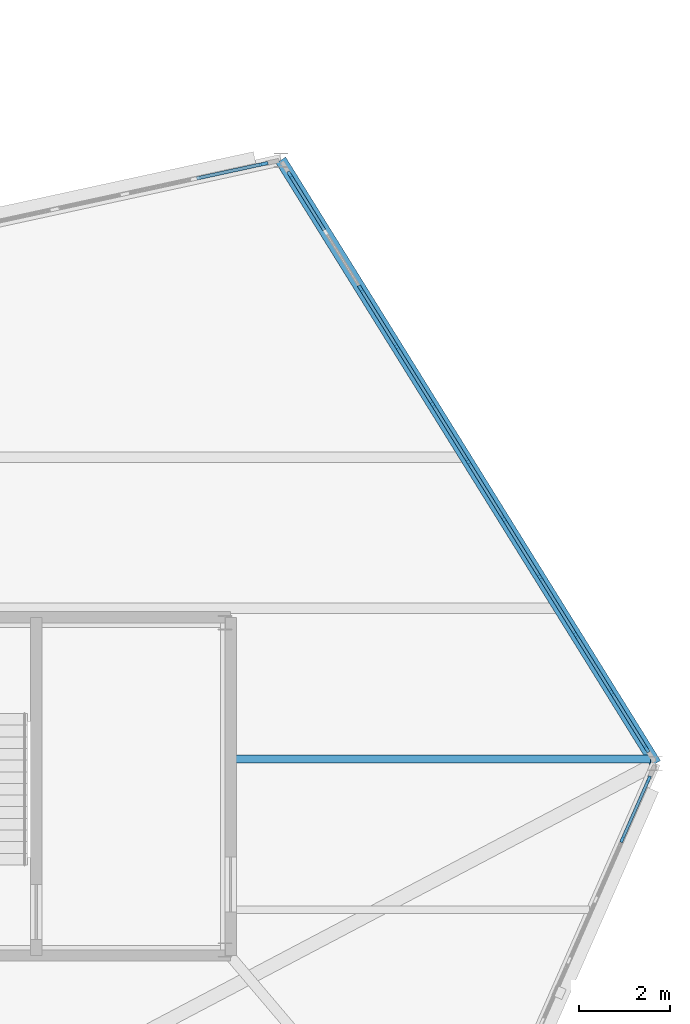
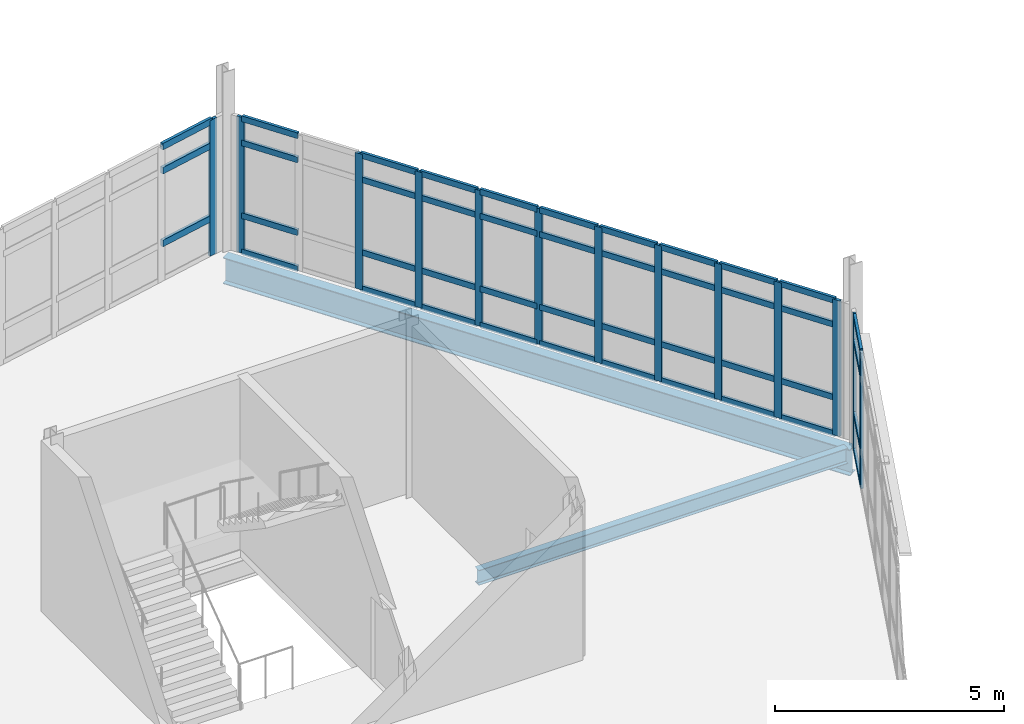
# One storey, part 74 of 134: 56 members, 2 beams, 3 elements without a shape of their own.
"""IFC4 building model written with IfcOpenShell, lengths in metres."""

import ifcopenshell
import ifcopenshell.guid

model = None  # the IFC model being written
_history = None  # IfcOwnerHistory: only IFC2X3 demands one
_inside = {}  # id of a spatial element -> (the spatial element, [elements in it])
_under = {}  # id of a project, library or spatial element -> (it, [spatial elements below it])
_declared = {}  # id of a project -> (the project, [libraries it declares])
_typed = {}  # id of a type object -> (the type object, [elements of that type])
_made_of = {}  # id of a material, layer set ... -> (it, [elements and type objects made of it])


def new_model(schema):
    """Start an empty IFC model of exactly this schema.

    Asked for "IFC4X3", IfcOpenShell would pick the latest addendum, in which some entities
    have other attributes; the version numbers below select the first issue.
    IFC2X3 requires an IfcOwnerHistory on every rooted entity: one is made here for all.
    """
    global model, _history
    if schema == "IFC4X3":
        model = ifcopenshell.file(schema_version=(4, 3, 0, 0))
    else:
        model = ifcopenshell.file(schema=schema)
    _inside.clear()
    _under.clear()
    _declared.clear()
    _typed.clear()
    _made_of.clear()
    _history = None
    if model.schema == "IFC2X3":
        org = make("IfcOrganization", Name="unknown")
        user = make(
            "IfcPersonAndOrganization",
            ThePerson=make("IfcPerson", FamilyName="unknown"),
            TheOrganization=org,
        )
        app = make(
            "IfcApplication",
            ApplicationDeveloper=org,
            Version="unknown",
            ApplicationFullName="unknown",
            ApplicationIdentifier="unknown",
        )
        _history = make(
            "IfcOwnerHistory",
            OwningUser=user,
            OwningApplication=app,
            ChangeAction="ADDED",
            CreationDate=0,
        )
    return model


def make(cls, **values):
    """One entity of the class cls with the attributes given. An attribute that is None is left unset."""
    return model.create_entity(
        cls, **{name: value for name, value in values.items() if value is not None}
    )


def rooted(cls, **values):
    """An entity with a GlobalId (a new one), such as an element, a storey or a relation."""
    return make(cls, GlobalId=ifcopenshell.guid.new(), OwnerHistory=_history, **values)


def si_unit(unit_type, name, prefix=None):
    """IfcSIUnit, for example si_unit("LENGTHUNIT", "METRE", prefix="MILLI")."""
    return make("IfcSIUnit", UnitType=unit_type, Prefix=prefix, Name=name)


def assignment(units):
    """IfcUnitAssignment: the units of a project."""
    return None if units is None else make("IfcUnitAssignment", Units=units)


def point(xyz):
    """IfcCartesianPoint."""
    return None if xyz is None else make("IfcCartesianPoint", Coordinates=xyz)


def direction(xyz):
    """IfcDirection."""
    return None if xyz is None else make("IfcDirection", DirectionRatios=xyz)


def frame(location, z_axis=None, x_axis=None):
    """IfcAxis2Placement3D, a coordinate frame: its origin and axes. An axis left out is left unset."""
    return make(
        "IfcAxis2Placement3D",
        Location=point(location),
        Axis=direction(z_axis),
        RefDirection=direction(x_axis),
    )


def frame_2d(location, x_axis=None):
    """IfcAxis2Placement2D, a coordinate frame in the plane: its origin and x axis."""
    return make(
        "IfcAxis2Placement2D", Location=point(location), RefDirection=direction(x_axis)
    )


def origin():
    """The frame at (0, 0, 0) with its axes left unset."""
    return frame((0.0, 0.0, 0.0))


def origin_2d():
    """The frame at (0, 0) in the plane with its x axis left unset."""
    return frame_2d((0.0, 0.0))


def place(relative_to, where):
    """IfcLocalPlacement: puts the frame where relative to a parent placement (None: the world)."""
    return make(
        "IfcLocalPlacement", PlacementRelTo=relative_to, RelativePlacement=where
    )


def context(
    kind, dimensions, precision=None, world=None, true_north=None, identifier=None
):
    """IfcGeometricRepresentationContext, for example the 3D "Model" context."""
    return make(
        "IfcGeometricRepresentationContext",
        ContextIdentifier=identifier,
        ContextType=kind,
        CoordinateSpaceDimension=dimensions,
        Precision=precision,
        WorldCoordinateSystem=world,
        TrueNorth=true_north,
    )


def subcontext(parent, identifier, kind, view, scale=None):
    """IfcGeometricRepresentationSubContext, for example "Body" below "Model"."""
    return make(
        "IfcGeometricRepresentationSubContext",
        ContextIdentifier=identifier,
        ContextType=kind,
        ParentContext=parent,
        TargetScale=scale,
        TargetView=view,
    )


def project(units=None, contexts=None):
    """IfcProject with its units and contexts."""
    return rooted(
        "IfcProject",
        Name="project",
        RepresentationContexts=contexts,
        UnitsInContext=assignment(units),
    )


def spatial(cls, under=None, at=None, **own):
    """A site, building, storey or space (cls), placed at a placement, below another one or the project."""
    s = rooted(cls, ObjectPlacement=at, **own)
    if under is not None:
        _under.setdefault(under.id(), (under, []))[1].append(s)
    return s


def profile(cls, at=None, kind="AREA", **sizes):
    """A parametric profile (cls). Its sizes go by their IFC names, for example OverallWidth=200.0."""
    return make(cls, ProfileType=kind, Position=at, **sizes)


def rectangle(**sizes):
    """IfcRectangleProfileDef."""
    return profile("IfcRectangleProfileDef", **sizes)


def i_section(**sizes):
    """IfcIShapeProfileDef."""
    return profile("IfcIShapeProfileDef", **sizes)


def extrude(swept, where, along, depth):
    """IfcExtrudedAreaSolid: the profile swept, set in the frame where, extruded along a direction by depth."""
    return make(
        "IfcExtrudedAreaSolid",
        SweptArea=swept,
        Position=where,
        ExtrudedDirection=direction(along),
        Depth=depth,
    )


def shape(context_of_items, identifier, shape_type, items):
    """IfcShapeRepresentation: the items that make up one representation, for example the "Body"."""
    return make(
        "IfcShapeRepresentation",
        ContextOfItems=context_of_items,
        RepresentationIdentifier=identifier,
        RepresentationType=shape_type,
        Items=items,
    )


def material(Name=None, Category=None):
    """IfcMaterial."""
    return make("IfcMaterial", Name=Name, Category=Category)


def material_profile(
    of_material, cross_section, Name=None, Category=None, Priority=None
):
    """IfcMaterialProfile: a cross section and its material."""
    return make(
        "IfcMaterialProfile",
        Name=Name,
        Material=of_material,
        Profile=cross_section,
        Priority=Priority,
        Category=Category,
    )


def profile_set(profiles, Name=None, composite=None):
    """IfcMaterialProfileSet."""
    return make(
        "IfcMaterialProfileSet",
        Name=Name,
        MaterialProfiles=profiles,
        CompositeProfile=composite,
    )


def made_of(thing, what):
    """Note that an element or type object is made of a material, layer set ...; save() writes the relation."""
    if what is not None:
        _made_of.setdefault(what.id(), (what, []))[1].append(thing)
    return thing


def type_object(cls, material=None, **own):
    """A type object (cls), such as IfcWallType, which elements share."""
    return made_of(rooted(cls, **own), material)


def element(
    cls,
    number,
    at=None,
    inside=None,
    cuts=None,
    type_object=None,
    material=None,
    context=None,
    identifier="Body",
    shape_type=None,
    held_by="IfcProductDefinitionShape",
    body=None,
    shapes=None,
    **own,
):
    """One element of the class cls, such as IfcWall. Its Tag is "e" and its number.

    at: its placement. inside: the storey or other place that contains it. cuts: it is an
    opening in that element (IfcRelVoidsElement). A single representation is given by context,
    identifier, shape_type and body (its items); several are given by shapes. held_by: the class
    of the entity that holds the representations. save() writes the other relations.
    """
    e = rooted(cls, Tag="e%d" % number, ObjectPlacement=at, **own)
    if body is not None:
        shapes = [shape(context, identifier, shape_type, body)]
    if shapes is not None:
        e.Representation = make(held_by, Representations=shapes)
    if inside is not None:
        _inside.setdefault(inside.id(), (inside, []))[1].append(e)
    if cuts is not None:
        rooted(
            "IfcRelVoidsElement", RelatingBuildingElement=cuts, RelatedOpeningElement=e
        )
    if type_object is not None:
        _typed.setdefault(type_object.id(), (type_object, []))[1].append(e)
    return made_of(e, material)


def aggregate(whole, parts):
    """IfcRelAggregates: a whole, such as a stair, and the parts it consists of."""
    return rooted("IfcRelAggregates", RelatingObject=whole, RelatedObjects=parts)


def save(model, path):
    """Write the relations noted so far, then the file.

    IfcRelAggregates (storeys below a building ...), IfcRelContainedInSpatialStructure (elements
    in a storey), IfcRelDefinesByType, IfcRelAssociatesMaterial and IfcRelDeclares: one each for
    every whole, place, type object, material and project.
    """
    for whole, parts in _under.values():
        aggregate(whole, parts)
    for where, things in _inside.values():
        rooted(
            "IfcRelContainedInSpatialStructure",
            RelatedElements=things,
            RelatingStructure=where,
        )
    for kind, things in _typed.values():
        rooted("IfcRelDefinesByType", RelatedObjects=things, RelatingType=kind)
    for what, things in _made_of.values():
        rooted("IfcRelAssociatesMaterial", RelatedObjects=things, RelatingMaterial=what)
    for by, libraries in _declared.values():
        rooted("IfcRelDeclares", RelatingContext=by, RelatedDefinitions=libraries)
    model.write(path)


model = new_model("IFC4")

# Units and contexts
model_context = context("Model", 3, precision=1e-05, world=origin(), true_north=direction((0.0, 1.0)))
body_context = subcontext(model_context, "Body", "Model", "MODEL_VIEW")
ifc_project = project(units=[si_unit("LENGTHUNIT", "METRE"), si_unit("AREAUNIT", "SQUARE_METRE"), si_unit("VOLUMEUNIT", "CUBIC_METRE"), si_unit("PLANEANGLEUNIT", "RADIAN"), si_unit("MASSUNIT", "GRAM", prefix="KILO")], contexts=[model_context])

# Site, building, storey
site_placement = place(None, origin())
site = spatial("IfcSite", under=ifc_project, at=site_placement, CompositionType="ELEMENT")
building_placement = place(site_placement, origin())
building = spatial("IfcBuilding", under=site, at=building_placement, Name="Tameran Prism Museum", CompositionType="ELEMENT")
storey_placement = place(building_placement, frame((0.0, 0.0, 5.39990234375)))
storey = spatial("IfcBuildingStorey", under=building, at=storey_placement, Name="L01", CompositionType="ELEMENT", Elevation=5.39990234375)

# Beams
ifc_material_1 = material(Name="Steel Grade 300PLUS (300 MPa)", Category="steel")
ifc_material_profile_1 = material_profile(ifc_material_1, i_section(OverallWidth=0.177978515625, OverallDepth=0.403076171875, WebThickness=0.007568359375, FlangeThickness=0.010986328125, FilletRadius=0.011474609375, at=origin_2d()))
ifc_profile_set_1 = profile_set([ifc_material_profile_1])
beam_type_1 = type_object("IfcBeamType", Name="BM-J410B", PredefinedType="JOIST", material=ifc_profile_set_1)
beam_1_placement = place(storey_placement, frame((156.97998046875, 34.10009765625, -0.4013671875), z_axis=(1.0, 0.0, 0.0), x_axis=(0.0, 1.0, 0.0)))
element("IfcBeam", 1, at=beam_1_placement, inside=storey, type_object=beam_type_1, Name="Floor Beam BM-0651", PredefinedType="JOIST", context=body_context, shape_type="SweptSolid", body=[
    extrude(i_section(OverallWidth=0.177978515625, OverallDepth=0.403076171875, WebThickness=0.007568359375, FlangeThickness=0.010986328125, FilletRadius=0.011474609375, at=origin_2d()), origin(), (0.0, 0.0, 1.0), 9.31103515625),
])
ifc_material_2 = material(Name="Steel Grade 350 (350 MPa)", Category="steel")
ifc_material_profile_2 = material_profile(ifc_material_2, i_section(OverallWidth=0.25, OverallDepth=0.699951171875, WebThickness=0.010009765625, FlangeThickness=0.02001953125, at=origin_2d()))
ifc_profile_set_2 = profile_set([ifc_material_profile_2])
beam_type_2 = type_object("IfcBeamType", Name="BM-SP700", PredefinedType="SPANDREL", material=ifc_profile_set_2)
beam_2_placement = place(storey_placement, frame((166.39990234375, 34.0, -0.5498046875), z_axis=(-0.527682342596, 0.849441784534, 0.0), x_axis=(-0.849441784534, -0.527682342596, 0.0)))
element("IfcBeam", 2, at=beam_2_placement, inside=storey, type_object=beam_type_2, Name="Perimeter Spandrel SP-0435", PredefinedType="SPANDREL", context=body_context, shape_type="SweptSolid", body=[
    extrude(i_section(OverallWidth=0.25, OverallDepth=0.699951171875, WebThickness=0.010009765625, FlangeThickness=0.02001953125, at=origin_2d()), origin(), (0.0, 0.0, 1.0), 15.53955078125),
])

# Curtain wall, members
ifc_material_3 = material(Name="Anodised Aluminium 6063-T6 and Cyclone Solar Glass", Category="aluminium")
curtain_wall_type_1 = type_object("IfcCurtainWallType", Name="CW-FAC-1016x362", PredefinedType="USERDEFINED", material=ifc_material_3)
curtain_wall_1_placement = place(storey_placement, origin())
curtain_wall_1 = element("IfcCurtainWall", 3, at=curtain_wall_1_placement, inside=storey, type_object=curtain_wall_type_1, Name="Unitised Curtain Wall CW-095", ObjectType="UNITISED CURTAIN WALL", PredefinedType="USERDEFINED")
ifc_material_4 = material(Name="Anodised Aluminium Alloy 6063-T6", Category="aluminium")
ifc_material_profile_3 = material_profile(ifc_material_4, rectangle(XDim=0.06494140625, YDim=0.159912109375, at=origin_2d()))
ifc_profile_set_3 = profile_set([ifc_material_profile_3])
member_type_1 = type_object("IfcMemberType", Name="CW-MUL-A", PredefinedType="MULLION", material=ifc_profile_set_3)
member_1_placement = place(storey_placement, frame((166.245849609375, 33.650146484375, 0.0), z_axis=(0.0, 0.0, 1.0), x_axis=(0.915322284668, -0.402722131488, 0.0)))
member_1 = element("IfcMember", 4, at=member_1_placement, type_object=member_type_1, Name="CW-095 mullion 1", PredefinedType="MULLION", context=body_context, shape_type="SweptSolid", body=[
    extrude(rectangle(XDim=0.06494140625, YDim=0.159912109375, at=origin_2d()), origin(), (0.0, 0.0, 1.0), 3.6201171875),
])
member_2_placement = place(storey_placement, frame((165.674072265625, 32.350830078125, 0.0), z_axis=(0.0, 0.0, 1.0), x_axis=(0.915322284668, -0.402722131488, 0.0)))
member_2 = element("IfcMember", 5, at=member_2_placement, type_object=member_type_1, Name="CW-095 mullion 2", PredefinedType="MULLION", context=body_context, shape_type="SweptSolid", body=[
    extrude(rectangle(XDim=0.06494140625, YDim=0.159912109375, at=origin_2d()), origin(), (0.0, 0.0, 1.0), 3.6201171875),
])

ifc_material_5 = material(Name="Anodised Aluminium 6063-T6 and Cyclone Solar Glass", Category="aluminium")
curtain_wall_type_2 = type_object("IfcCurtainWallType", Name="CW-FAC-1484x362", PredefinedType="USERDEFINED", material=ifc_material_5)
curtain_wall_2_placement = place(storey_placement, origin())
curtain_wall_2 = element("IfcCurtainWall", 6, at=curtain_wall_2_placement, inside=storey, type_object=curtain_wall_type_2, Name="Unitised Curtain Wall CW-096", ObjectType="UNITISED CURTAIN WALL", PredefinedType="USERDEFINED")
ifc_material_6 = material(Name="Anodised Aluminium Alloy 6063-T6", Category="aluminium")
ifc_material_profile_4 = material_profile(ifc_material_6, rectangle(XDim=0.070068359375, YDim=0.179931640625, at=origin_2d()))
ifc_profile_set_4 = profile_set([ifc_material_profile_4])
member_type_2 = type_object("IfcMemberType", Name="CW-MUL-B", PredefinedType="MULLION", material=ifc_profile_set_4)
member_3_placement = place(storey_placement, frame((158.403564453125, 46.873291015625, 0.0), z_axis=(0.0, 0.0, 1.0), x_axis=(0.849471454595, 0.527634577931, 0.0)))
member_3 = element("IfcMember", 7, at=member_3_placement, type_object=member_type_2, Name="CW-096 mullion 1", PredefinedType="MULLION", context=body_context, shape_type="SweptSolid", body=[
    extrude(rectangle(XDim=0.070068359375, YDim=0.179931640625, at=origin_2d()), origin(), (0.0, 0.0, 1.0), 3.6201171875),
])
member_4_placement = place(storey_placement, frame((159.950927734375, 44.3818359375, 0.0), z_axis=(0.0, 0.0, 1.0), x_axis=(0.849471454595, 0.527634577931, 0.0)))
member_4 = element("IfcMember", 8, at=member_4_placement, type_object=member_type_2, Name="CW-096 mullion 3", PredefinedType="MULLION", context=body_context, shape_type="SweptSolid", body=[
    extrude(rectangle(XDim=0.070068359375, YDim=0.179931640625, at=origin_2d()), origin(), (0.0, 0.0, 1.0), 3.6201171875),
])
member_5_placement = place(storey_placement, frame((160.73388671875, 43.12109375, 0.0), z_axis=(0.0, 0.0, 1.0), x_axis=(0.849471454595, 0.527634577931, 0.0)))
member_5 = element("IfcMember", 9, at=member_5_placement, type_object=member_type_2, Name="CW-096 mullion 4", PredefinedType="MULLION", context=body_context, shape_type="SweptSolid", body=[
    extrude(rectangle(XDim=0.070068359375, YDim=0.179931640625, at=origin_2d()), origin(), (0.0, 0.0, 1.0), 3.6201171875),
])
member_6_placement = place(storey_placement, frame((161.51708984375, 41.860595703125, 0.0), z_axis=(0.0, 0.0, 1.0), x_axis=(0.849471454595, 0.527634577931, 0.0)))
member_6 = element("IfcMember", 10, at=member_6_placement, type_object=member_type_2, Name="CW-096 mullion 5", PredefinedType="MULLION", context=body_context, shape_type="SweptSolid", body=[
    extrude(rectangle(XDim=0.070068359375, YDim=0.179931640625, at=origin_2d()), origin(), (0.0, 0.0, 1.0), 3.6201171875),
])
member_7_placement = place(storey_placement, frame((162.300048828125, 40.60009765625, 0.0), z_axis=(0.0, 0.0, 1.0), x_axis=(0.849471454595, 0.527634577931, 0.0)))
member_7 = element("IfcMember", 11, at=member_7_placement, type_object=member_type_2, Name="CW-096 mullion 6", PredefinedType="MULLION", context=body_context, shape_type="SweptSolid", body=[
    extrude(rectangle(XDim=0.070068359375, YDim=0.179931640625, at=origin_2d()), origin(), (0.0, 0.0, 1.0), 3.6201171875),
])
member_8_placement = place(storey_placement, frame((163.0830078125, 39.33935546875, 0.0), z_axis=(0.0, 0.0, 1.0), x_axis=(0.849471454595, 0.527634577931, 0.0)))
member_8 = element("IfcMember", 12, at=member_8_placement, type_object=member_type_2, Name="CW-096 mullion 7", PredefinedType="MULLION", context=body_context, shape_type="SweptSolid", body=[
    extrude(rectangle(XDim=0.070068359375, YDim=0.179931640625, at=origin_2d()), origin(), (0.0, 0.0, 1.0), 3.6201171875),
])
member_9_placement = place(storey_placement, frame((163.865966796875, 38.078857421875, 0.0), z_axis=(0.0, 0.0, 1.0), x_axis=(0.849471454595, 0.527634577931, 0.0)))
member_9 = element("IfcMember", 13, at=member_9_placement, type_object=member_type_2, Name="CW-096 mullion 8", PredefinedType="MULLION", context=body_context, shape_type="SweptSolid", body=[
    extrude(rectangle(XDim=0.070068359375, YDim=0.179931640625, at=origin_2d()), origin(), (0.0, 0.0, 1.0), 3.6201171875),
])
member_10_placement = place(storey_placement, frame((164.64892578125, 36.818115234375, 0.0), z_axis=(0.0, 0.0, 1.0), x_axis=(0.849471454595, 0.527634577931, 0.0)))
member_10 = element("IfcMember", 14, at=member_10_placement, type_object=member_type_2, Name="CW-096 mullion 9", PredefinedType="MULLION", context=body_context, shape_type="SweptSolid", body=[
    extrude(rectangle(XDim=0.070068359375, YDim=0.179931640625, at=origin_2d()), origin(), (0.0, 0.0, 1.0), 3.6201171875),
])
member_11_placement = place(storey_placement, frame((165.431884765625, 35.5576171875, 0.0), z_axis=(0.0, 0.0, 1.0), x_axis=(0.849471454595, 0.527634577931, 0.0)))
member_11 = element("IfcMember", 15, at=member_11_placement, type_object=member_type_2, Name="CW-096 mullion 10", PredefinedType="MULLION", context=body_context, shape_type="SweptSolid", body=[
    extrude(rectangle(XDim=0.070068359375, YDim=0.179931640625, at=origin_2d()), origin(), (0.0, 0.0, 1.0), 3.6201171875),
])
member_12_placement = place(storey_placement, frame((166.196533203125, 34.32666015625, 0.0), z_axis=(0.0, 0.0, 1.0), x_axis=(0.849471454595, 0.527634577931, 0.0)))
member_12 = element("IfcMember", 16, at=member_12_placement, type_object=member_type_2, Name="CW-096 mullion 11", PredefinedType="MULLION", context=body_context, shape_type="SweptSolid", body=[
    extrude(rectangle(XDim=0.070068359375, YDim=0.179931640625, at=origin_2d()), origin(), (0.0, 0.0, 1.0), 3.6201171875),
])

# Curtain wall, member
ifc_material_7 = material(Name="Anodised Aluminium 6063-T6 and Cyclone Solar Glass", Category="aluminium")
curtain_wall_type_3 = type_object("IfcCurtainWallType", Name="CW-FAC-2042x362", PredefinedType="USERDEFINED", material=ifc_material_7)
curtain_wall_3_placement = place(storey_placement, origin())
curtain_wall_3 = element("IfcCurtainWall", 17, at=curtain_wall_3_placement, inside=storey, type_object=curtain_wall_type_3, Name="Unitised Curtain Wall CW-097", ObjectType="UNITISED CURTAIN WALL", PredefinedType="USERDEFINED")
ifc_material_8 = material(Name="Anodised Aluminium Alloy 6063-T6", Category="aluminium")
ifc_material_profile_5 = material_profile(ifc_material_8, rectangle(XDim=0.074951171875, YDim=0.199951171875, at=origin_2d()))
ifc_profile_set_5 = profile_set([ifc_material_profile_5])
member_type_3 = type_object("IfcMemberType", Name="CW-MUL-C", PredefinedType="MULLION", material=ifc_profile_set_5)
member_13_placement = place(storey_placement, frame((157.8212890625, 47.117919921875, 0.0), z_axis=(0.0, 0.0, 1.0), x_axis=(-0.212454037801, 0.977171060676, 0.0)))
member_13 = element("IfcMember", 18, at=member_13_placement, type_object=member_type_3, Name="CW-097 mullion 14", PredefinedType="MULLION", context=body_context, shape_type="SweptSolid", body=[
    extrude(rectangle(XDim=0.074951171875, YDim=0.199951171875, at=origin_2d()), origin(), (0.0, 0.0, 1.0), 3.6201171875),
])

# Member
ifc_material_9 = material(Name="Anodised Aluminium Alloy 6063-T6", Category="aluminium")
ifc_material_profile_6 = material_profile(ifc_material_9, rectangle(XDim=0.06494140625, YDim=0.139892578125, at=origin_2d()))
ifc_profile_set_6 = profile_set([ifc_material_profile_6])
member_type_4 = type_object("IfcMemberType", Name="CW-TRN-A", PredefinedType="USERDEFINED", material=ifc_profile_set_6)
member_14_placement = place(storey_placement, frame((166.23291015625, 33.62060546875, 0.03271484375), z_axis=(-0.402708422569, -0.915328316175, 0.0), x_axis=(0.915328316175, -0.402708422569, 0.0)))
member_14 = element("IfcMember", 19, at=member_14_placement, type_object=member_type_4, Name="CW-095 transom 1.1", ObjectType="TRANSOM", PredefinedType="USERDEFINED", context=body_context, shape_type="SweptSolid", body=[
    extrude(rectangle(XDim=0.06494140625, YDim=0.139892578125, at=origin_2d()), origin(), (0.0, 0.0, 1.0), 1.35498046875),
])

member_15_placement = place(storey_placement, frame((166.23291015625, 33.62060546875, 1.0), z_axis=(-0.402708422569, -0.915328316175, 0.0), x_axis=(0.915328316175, -0.402708422569, 0.0)))
member_15 = element("IfcMember", 20, at=member_15_placement, type_object=member_type_4, Name="CW-095 transom 1.2", ObjectType="TRANSOM", PredefinedType="USERDEFINED", context=body_context, shape_type="SweptSolid", body=[
    extrude(rectangle(XDim=0.06494140625, YDim=0.139892578125, at=origin_2d()), origin(), (0.0, 0.0, 1.0), 1.35498046875),
])

member_16_placement = place(storey_placement, frame((166.23291015625, 33.62060546875, 2.940185546875), z_axis=(-0.402708422569, -0.915328316175, 0.0), x_axis=(0.915328316175, -0.402708422569, 0.0)))
member_16 = element("IfcMember", 21, at=member_16_placement, type_object=member_type_4, Name="CW-095 transom 1.3", ObjectType="TRANSOM", PredefinedType="USERDEFINED", context=body_context, shape_type="SweptSolid", body=[
    extrude(rectangle(XDim=0.06494140625, YDim=0.139892578125, at=origin_2d()), origin(), (0.0, 0.0, 1.0), 1.35498046875),
])

member_17_placement = place(storey_placement, frame((166.23291015625, 33.62060546875, 3.587646484375), z_axis=(-0.402708422569, -0.915328316175, 0.0), x_axis=(0.915328316175, -0.402708422569, 0.0)))
member_17 = element("IfcMember", 22, at=member_17_placement, type_object=member_type_4, Name="CW-095 transom 1.4", ObjectType="TRANSOM", PredefinedType="USERDEFINED", context=body_context, shape_type="SweptSolid", body=[
    extrude(rectangle(XDim=0.06494140625, YDim=0.139892578125, at=origin_2d()), origin(), (0.0, 0.0, 1.0), 1.35498046875),
])

aggregate(curtain_wall_1, [member_1, member_2, member_14, member_15, member_16, member_17])

ifc_material_10 = material(Name="Anodised Aluminium Alloy 6063-T6", Category="aluminium")
ifc_material_profile_7 = material_profile(ifc_material_10, rectangle(XDim=0.070068359375, YDim=0.155029296875, at=origin_2d()))
ifc_profile_set_7 = profile_set([ifc_material_profile_7])
member_type_5 = type_object("IfcMemberType", Name="CW-TRN-B", PredefinedType="USERDEFINED", material=ifc_profile_set_7)
member_18_placement = place(storey_placement, frame((158.421875, 46.843505859375, 0.03515625), z_axis=(0.527609646011, -0.849486940121, 0.0), x_axis=(0.849486940121, 0.527609646011, 0.0)))
member_18 = element("IfcMember", 23, at=member_18_placement, type_object=member_type_5, Name="CW-096 transom 1.1", ObjectType="TRANSOM", PredefinedType="USERDEFINED", context=body_context, shape_type="SweptSolid", body=[
    extrude(rectangle(XDim=0.070068359375, YDim=0.155029296875, at=origin_2d()), origin(), (0.0, 0.0, 1.0), 1.37890625),
])

member_19_placement = place(storey_placement, frame((158.421875, 46.843505859375, 1.0), z_axis=(0.527609646011, -0.849486940121, 0.0), x_axis=(0.849486940121, 0.527609646011, 0.0)))
member_19 = element("IfcMember", 24, at=member_19_placement, type_object=member_type_5, Name="CW-096 transom 1.2", ObjectType="TRANSOM", PredefinedType="USERDEFINED", context=body_context, shape_type="SweptSolid", body=[
    extrude(rectangle(XDim=0.070068359375, YDim=0.155029296875, at=origin_2d()), origin(), (0.0, 0.0, 1.0), 1.37890625),
])

member_20_placement = place(storey_placement, frame((158.421875, 46.843505859375, 2.940185546875), z_axis=(0.527609646011, -0.849486940121, 0.0), x_axis=(0.849486940121, 0.527609646011, 0.0)))
member_20 = element("IfcMember", 25, at=member_20_placement, type_object=member_type_5, Name="CW-096 transom 1.3", ObjectType="TRANSOM", PredefinedType="USERDEFINED", context=body_context, shape_type="SweptSolid", body=[
    extrude(rectangle(XDim=0.070068359375, YDim=0.155029296875, at=origin_2d()), origin(), (0.0, 0.0, 1.0), 1.37890625),
])

member_21_placement = place(storey_placement, frame((158.421875, 46.843505859375, 3.585205078125), z_axis=(0.527609646011, -0.849486940121, 0.0), x_axis=(0.849486940121, 0.527609646011, 0.0)))
member_21 = element("IfcMember", 26, at=member_21_placement, type_object=member_type_5, Name="CW-096 transom 1.4", ObjectType="TRANSOM", PredefinedType="USERDEFINED", context=body_context, shape_type="SweptSolid", body=[
    extrude(rectangle(XDim=0.070068359375, YDim=0.155029296875, at=origin_2d()), origin(), (0.0, 0.0, 1.0), 1.37890625),
])

member_22_placement = place(storey_placement, frame((159.969482421875, 44.35205078125, 0.03515625), z_axis=(0.527637898727, -0.84946939193, 0.0), x_axis=(0.84946939193, 0.527637898727, 0.0)))
member_22 = element("IfcMember", 27, at=member_22_placement, type_object=member_type_5, Name="CW-096 transom 3.1", ObjectType="TRANSOM", PredefinedType="USERDEFINED", context=body_context, shape_type="SweptSolid", body=[
    extrude(rectangle(XDim=0.070068359375, YDim=0.155029296875, at=origin_2d()), origin(), (0.0, 0.0, 1.0), 1.4140625),
])

member_23_placement = place(storey_placement, frame((159.969482421875, 44.35205078125, 1.0), z_axis=(0.527637898727, -0.84946939193, 0.0), x_axis=(0.84946939193, 0.527637898727, 0.0)))
member_23 = element("IfcMember", 28, at=member_23_placement, type_object=member_type_5, Name="CW-096 transom 3.2", ObjectType="TRANSOM", PredefinedType="USERDEFINED", context=body_context, shape_type="SweptSolid", body=[
    extrude(rectangle(XDim=0.070068359375, YDim=0.155029296875, at=origin_2d()), origin(), (0.0, 0.0, 1.0), 1.4140625),
])

member_24_placement = place(storey_placement, frame((159.969482421875, 44.35205078125, 2.940185546875), z_axis=(0.527637898727, -0.84946939193, 0.0), x_axis=(0.84946939193, 0.527637898727, 0.0)))
member_24 = element("IfcMember", 29, at=member_24_placement, type_object=member_type_5, Name="CW-096 transom 3.3", ObjectType="TRANSOM", PredefinedType="USERDEFINED", context=body_context, shape_type="SweptSolid", body=[
    extrude(rectangle(XDim=0.070068359375, YDim=0.155029296875, at=origin_2d()), origin(), (0.0, 0.0, 1.0), 1.4140625),
])

member_25_placement = place(storey_placement, frame((159.969482421875, 44.35205078125, 3.585205078125), z_axis=(0.527637898727, -0.84946939193, 0.0), x_axis=(0.84946939193, 0.527637898727, 0.0)))
member_25 = element("IfcMember", 30, at=member_25_placement, type_object=member_type_5, Name="CW-096 transom 3.4", ObjectType="TRANSOM", PredefinedType="USERDEFINED", context=body_context, shape_type="SweptSolid", body=[
    extrude(rectangle(XDim=0.070068359375, YDim=0.155029296875, at=origin_2d()), origin(), (0.0, 0.0, 1.0), 1.4140625),
])

member_26_placement = place(storey_placement, frame((160.75244140625, 43.091552734375, 0.03515625), z_axis=(0.527637898727, -0.84946939193, 0.0), x_axis=(0.84946939193, 0.527637898727, 0.0)))
member_26 = element("IfcMember", 31, at=member_26_placement, type_object=member_type_5, Name="CW-096 transom 4.1", ObjectType="TRANSOM", PredefinedType="USERDEFINED", context=body_context, shape_type="SweptSolid", body=[
    extrude(rectangle(XDim=0.070068359375, YDim=0.155029296875, at=origin_2d()), origin(), (0.0, 0.0, 1.0), 1.4140625),
])

member_27_placement = place(storey_placement, frame((160.75244140625, 43.091552734375, 1.0), z_axis=(0.527637898727, -0.84946939193, 0.0), x_axis=(0.84946939193, 0.527637898727, 0.0)))
member_27 = element("IfcMember", 32, at=member_27_placement, type_object=member_type_5, Name="CW-096 transom 4.2", ObjectType="TRANSOM", PredefinedType="USERDEFINED", context=body_context, shape_type="SweptSolid", body=[
    extrude(rectangle(XDim=0.070068359375, YDim=0.155029296875, at=origin_2d()), origin(), (0.0, 0.0, 1.0), 1.4140625),
])

member_28_placement = place(storey_placement, frame((160.75244140625, 43.091552734375, 2.940185546875), z_axis=(0.527637898727, -0.84946939193, 0.0), x_axis=(0.84946939193, 0.527637898727, 0.0)))
member_28 = element("IfcMember", 33, at=member_28_placement, type_object=member_type_5, Name="CW-096 transom 4.3", ObjectType="TRANSOM", PredefinedType="USERDEFINED", context=body_context, shape_type="SweptSolid", body=[
    extrude(rectangle(XDim=0.070068359375, YDim=0.155029296875, at=origin_2d()), origin(), (0.0, 0.0, 1.0), 1.4140625),
])

member_29_placement = place(storey_placement, frame((160.75244140625, 43.091552734375, 3.585205078125), z_axis=(0.527637898727, -0.84946939193, 0.0), x_axis=(0.84946939193, 0.527637898727, 0.0)))
member_29 = element("IfcMember", 34, at=member_29_placement, type_object=member_type_5, Name="CW-096 transom 4.4", ObjectType="TRANSOM", PredefinedType="USERDEFINED", context=body_context, shape_type="SweptSolid", body=[
    extrude(rectangle(XDim=0.070068359375, YDim=0.155029296875, at=origin_2d()), origin(), (0.0, 0.0, 1.0), 1.4140625),
])

member_30_placement = place(storey_placement, frame((161.535400390625, 41.830810546875, 0.03515625), z_axis=(0.527637898727, -0.84946939193, 0.0), x_axis=(0.84946939193, 0.527637898727, 0.0)))
member_30 = element("IfcMember", 35, at=member_30_placement, type_object=member_type_5, Name="CW-096 transom 5.1", ObjectType="TRANSOM", PredefinedType="USERDEFINED", context=body_context, shape_type="SweptSolid", body=[
    extrude(rectangle(XDim=0.070068359375, YDim=0.155029296875, at=origin_2d()), origin(), (0.0, 0.0, 1.0), 1.4140625),
])

member_31_placement = place(storey_placement, frame((161.535400390625, 41.830810546875, 1.0), z_axis=(0.527637898727, -0.84946939193, 0.0), x_axis=(0.84946939193, 0.527637898727, 0.0)))
member_31 = element("IfcMember", 36, at=member_31_placement, type_object=member_type_5, Name="CW-096 transom 5.2", ObjectType="TRANSOM", PredefinedType="USERDEFINED", context=body_context, shape_type="SweptSolid", body=[
    extrude(rectangle(XDim=0.070068359375, YDim=0.155029296875, at=origin_2d()), origin(), (0.0, 0.0, 1.0), 1.4140625),
])

member_32_placement = place(storey_placement, frame((161.535400390625, 41.830810546875, 2.940185546875), z_axis=(0.527637898727, -0.84946939193, 0.0), x_axis=(0.84946939193, 0.527637898727, 0.0)))
member_32 = element("IfcMember", 37, at=member_32_placement, type_object=member_type_5, Name="CW-096 transom 5.3", ObjectType="TRANSOM", PredefinedType="USERDEFINED", context=body_context, shape_type="SweptSolid", body=[
    extrude(rectangle(XDim=0.070068359375, YDim=0.155029296875, at=origin_2d()), origin(), (0.0, 0.0, 1.0), 1.4140625),
])

member_33_placement = place(storey_placement, frame((161.535400390625, 41.830810546875, 3.585205078125), z_axis=(0.527637898727, -0.84946939193, 0.0), x_axis=(0.84946939193, 0.527637898727, 0.0)))
member_33 = element("IfcMember", 38, at=member_33_placement, type_object=member_type_5, Name="CW-096 transom 5.4", ObjectType="TRANSOM", PredefinedType="USERDEFINED", context=body_context, shape_type="SweptSolid", body=[
    extrude(rectangle(XDim=0.070068359375, YDim=0.155029296875, at=origin_2d()), origin(), (0.0, 0.0, 1.0), 1.4140625),
])

member_34_placement = place(storey_placement, frame((162.318359375, 40.5703125, 0.03515625), z_axis=(0.527637898727, -0.84946939193, 0.0), x_axis=(0.84946939193, 0.527637898727, 0.0)))
member_34 = element("IfcMember", 39, at=member_34_placement, type_object=member_type_5, Name="CW-096 transom 6.1", ObjectType="TRANSOM", PredefinedType="USERDEFINED", context=body_context, shape_type="SweptSolid", body=[
    extrude(rectangle(XDim=0.070068359375, YDim=0.155029296875, at=origin_2d()), origin(), (0.0, 0.0, 1.0), 1.4140625),
])

member_35_placement = place(storey_placement, frame((162.318359375, 40.5703125, 1.0), z_axis=(0.527637898727, -0.84946939193, 0.0), x_axis=(0.84946939193, 0.527637898727, 0.0)))
member_35 = element("IfcMember", 40, at=member_35_placement, type_object=member_type_5, Name="CW-096 transom 6.2", ObjectType="TRANSOM", PredefinedType="USERDEFINED", context=body_context, shape_type="SweptSolid", body=[
    extrude(rectangle(XDim=0.070068359375, YDim=0.155029296875, at=origin_2d()), origin(), (0.0, 0.0, 1.0), 1.4140625),
])

member_36_placement = place(storey_placement, frame((162.318359375, 40.5703125, 2.940185546875), z_axis=(0.527637898727, -0.84946939193, 0.0), x_axis=(0.84946939193, 0.527637898727, 0.0)))
member_36 = element("IfcMember", 41, at=member_36_placement, type_object=member_type_5, Name="CW-096 transom 6.3", ObjectType="TRANSOM", PredefinedType="USERDEFINED", context=body_context, shape_type="SweptSolid", body=[
    extrude(rectangle(XDim=0.070068359375, YDim=0.155029296875, at=origin_2d()), origin(), (0.0, 0.0, 1.0), 1.4140625),
])

member_37_placement = place(storey_placement, frame((162.318359375, 40.5703125, 3.585205078125), z_axis=(0.527637898727, -0.84946939193, 0.0), x_axis=(0.84946939193, 0.527637898727, 0.0)))
member_37 = element("IfcMember", 42, at=member_37_placement, type_object=member_type_5, Name="CW-096 transom 6.4", ObjectType="TRANSOM", PredefinedType="USERDEFINED", context=body_context, shape_type="SweptSolid", body=[
    extrude(rectangle(XDim=0.070068359375, YDim=0.155029296875, at=origin_2d()), origin(), (0.0, 0.0, 1.0), 1.4140625),
])

member_38_placement = place(storey_placement, frame((163.1015625, 39.3095703125, 0.03515625), z_axis=(0.527590684849, -0.849498716456, 0.0), x_axis=(0.849498716456, 0.527590684849, 0.0)))
member_38 = element("IfcMember", 43, at=member_38_placement, type_object=member_type_5, Name="CW-096 transom 7.1", ObjectType="TRANSOM", PredefinedType="USERDEFINED", context=body_context, shape_type="SweptSolid", body=[
    extrude(rectangle(XDim=0.070068359375, YDim=0.155029296875, at=origin_2d()), origin(), (0.0, 0.0, 1.0), 1.41357421875),
])

member_39_placement = place(storey_placement, frame((163.1015625, 39.3095703125, 1.0), z_axis=(0.527590684849, -0.849498716456, 0.0), x_axis=(0.849498716456, 0.527590684849, 0.0)))
member_39 = element("IfcMember", 44, at=member_39_placement, type_object=member_type_5, Name="CW-096 transom 7.2", ObjectType="TRANSOM", PredefinedType="USERDEFINED", context=body_context, shape_type="SweptSolid", body=[
    extrude(rectangle(XDim=0.070068359375, YDim=0.155029296875, at=origin_2d()), origin(), (0.0, 0.0, 1.0), 1.41357421875),
])

member_40_placement = place(storey_placement, frame((163.1015625, 39.3095703125, 2.940185546875), z_axis=(0.527590684849, -0.849498716456, 0.0), x_axis=(0.849498716456, 0.527590684849, 0.0)))
member_40 = element("IfcMember", 45, at=member_40_placement, type_object=member_type_5, Name="CW-096 transom 7.3", ObjectType="TRANSOM", PredefinedType="USERDEFINED", context=body_context, shape_type="SweptSolid", body=[
    extrude(rectangle(XDim=0.070068359375, YDim=0.155029296875, at=origin_2d()), origin(), (0.0, 0.0, 1.0), 1.41357421875),
])

member_41_placement = place(storey_placement, frame((163.1015625, 39.3095703125, 3.585205078125), z_axis=(0.527590684849, -0.849498716456, 0.0), x_axis=(0.849498716456, 0.527590684849, 0.0)))
member_41 = element("IfcMember", 46, at=member_41_placement, type_object=member_type_5, Name="CW-096 transom 7.4", ObjectType="TRANSOM", PredefinedType="USERDEFINED", context=body_context, shape_type="SweptSolid", body=[
    extrude(rectangle(XDim=0.070068359375, YDim=0.155029296875, at=origin_2d()), origin(), (0.0, 0.0, 1.0), 1.41357421875),
])

member_42_placement = place(storey_placement, frame((163.884521484375, 38.049072265625, 0.03515625), z_axis=(0.527637898727, -0.84946939193, 0.0), x_axis=(0.84946939193, 0.527637898727, 0.0)))
member_42 = element("IfcMember", 47, at=member_42_placement, type_object=member_type_5, Name="CW-096 transom 8.1", ObjectType="TRANSOM", PredefinedType="USERDEFINED", context=body_context, shape_type="SweptSolid", body=[
    extrude(rectangle(XDim=0.070068359375, YDim=0.155029296875, at=origin_2d()), origin(), (0.0, 0.0, 1.0), 1.4140625),
])

member_43_placement = place(storey_placement, frame((163.884521484375, 38.049072265625, 1.0), z_axis=(0.527637898727, -0.84946939193, 0.0), x_axis=(0.84946939193, 0.527637898727, 0.0)))
member_43 = element("IfcMember", 48, at=member_43_placement, type_object=member_type_5, Name="CW-096 transom 8.2", ObjectType="TRANSOM", PredefinedType="USERDEFINED", context=body_context, shape_type="SweptSolid", body=[
    extrude(rectangle(XDim=0.070068359375, YDim=0.155029296875, at=origin_2d()), origin(), (0.0, 0.0, 1.0), 1.4140625),
])

member_44_placement = place(storey_placement, frame((163.884521484375, 38.049072265625, 2.940185546875), z_axis=(0.527637898727, -0.84946939193, 0.0), x_axis=(0.84946939193, 0.527637898727, 0.0)))
member_44 = element("IfcMember", 49, at=member_44_placement, type_object=member_type_5, Name="CW-096 transom 8.3", ObjectType="TRANSOM", PredefinedType="USERDEFINED", context=body_context, shape_type="SweptSolid", body=[
    extrude(rectangle(XDim=0.070068359375, YDim=0.155029296875, at=origin_2d()), origin(), (0.0, 0.0, 1.0), 1.4140625),
])

member_45_placement = place(storey_placement, frame((163.884521484375, 38.049072265625, 3.585205078125), z_axis=(0.527637898727, -0.84946939193, 0.0), x_axis=(0.84946939193, 0.527637898727, 0.0)))
member_45 = element("IfcMember", 50, at=member_45_placement, type_object=member_type_5, Name="CW-096 transom 8.4", ObjectType="TRANSOM", PredefinedType="USERDEFINED", context=body_context, shape_type="SweptSolid", body=[
    extrude(rectangle(XDim=0.070068359375, YDim=0.155029296875, at=origin_2d()), origin(), (0.0, 0.0, 1.0), 1.4140625),
])

member_46_placement = place(storey_placement, frame((164.66748046875, 36.78857421875, 0.03515625), z_axis=(0.527637898727, -0.84946939193, 0.0), x_axis=(0.84946939193, 0.527637898727, 0.0)))
member_46 = element("IfcMember", 51, at=member_46_placement, type_object=member_type_5, Name="CW-096 transom 9.1", ObjectType="TRANSOM", PredefinedType="USERDEFINED", context=body_context, shape_type="SweptSolid", body=[
    extrude(rectangle(XDim=0.070068359375, YDim=0.155029296875, at=origin_2d()), origin(), (0.0, 0.0, 1.0), 1.4140625),
])

member_47_placement = place(storey_placement, frame((164.66748046875, 36.78857421875, 1.0), z_axis=(0.527637898727, -0.84946939193, 0.0), x_axis=(0.84946939193, 0.527637898727, 0.0)))
member_47 = element("IfcMember", 52, at=member_47_placement, type_object=member_type_5, Name="CW-096 transom 9.2", ObjectType="TRANSOM", PredefinedType="USERDEFINED", context=body_context, shape_type="SweptSolid", body=[
    extrude(rectangle(XDim=0.070068359375, YDim=0.155029296875, at=origin_2d()), origin(), (0.0, 0.0, 1.0), 1.4140625),
])

member_48_placement = place(storey_placement, frame((164.66748046875, 36.78857421875, 2.940185546875), z_axis=(0.527637898727, -0.84946939193, 0.0), x_axis=(0.84946939193, 0.527637898727, 0.0)))
member_48 = element("IfcMember", 53, at=member_48_placement, type_object=member_type_5, Name="CW-096 transom 9.3", ObjectType="TRANSOM", PredefinedType="USERDEFINED", context=body_context, shape_type="SweptSolid", body=[
    extrude(rectangle(XDim=0.070068359375, YDim=0.155029296875, at=origin_2d()), origin(), (0.0, 0.0, 1.0), 1.4140625),
])

member_49_placement = place(storey_placement, frame((164.66748046875, 36.78857421875, 3.585205078125), z_axis=(0.527637898727, -0.84946939193, 0.0), x_axis=(0.84946939193, 0.527637898727, 0.0)))
member_49 = element("IfcMember", 54, at=member_49_placement, type_object=member_type_5, Name="CW-096 transom 9.4", ObjectType="TRANSOM", PredefinedType="USERDEFINED", context=body_context, shape_type="SweptSolid", body=[
    extrude(rectangle(XDim=0.070068359375, YDim=0.155029296875, at=origin_2d()), origin(), (0.0, 0.0, 1.0), 1.4140625),
])

member_50_placement = place(storey_placement, frame((165.450439453125, 35.52783203125, 0.03515625), z_axis=(0.527609646011, -0.849486940121, 0.0), x_axis=(0.849486940121, 0.527609646011, 0.0)))
member_50 = element("IfcMember", 55, at=member_50_placement, type_object=member_type_5, Name="CW-096 transom 10.1", ObjectType="TRANSOM", PredefinedType="USERDEFINED", context=body_context, shape_type="SweptSolid", body=[
    extrude(rectangle(XDim=0.070068359375, YDim=0.155029296875, at=origin_2d()), origin(), (0.0, 0.0, 1.0), 1.37890625),
])

member_51_placement = place(storey_placement, frame((165.450439453125, 35.52783203125, 1.0), z_axis=(0.527609646011, -0.849486940121, 0.0), x_axis=(0.849486940121, 0.527609646011, 0.0)))
member_51 = element("IfcMember", 56, at=member_51_placement, type_object=member_type_5, Name="CW-096 transom 10.2", ObjectType="TRANSOM", PredefinedType="USERDEFINED", context=body_context, shape_type="SweptSolid", body=[
    extrude(rectangle(XDim=0.070068359375, YDim=0.155029296875, at=origin_2d()), origin(), (0.0, 0.0, 1.0), 1.37890625),
])

member_52_placement = place(storey_placement, frame((165.450439453125, 35.52783203125, 2.940185546875), z_axis=(0.527609646011, -0.849486940121, 0.0), x_axis=(0.849486940121, 0.527609646011, 0.0)))
member_52 = element("IfcMember", 57, at=member_52_placement, type_object=member_type_5, Name="CW-096 transom 10.3", ObjectType="TRANSOM", PredefinedType="USERDEFINED", context=body_context, shape_type="SweptSolid", body=[
    extrude(rectangle(XDim=0.070068359375, YDim=0.155029296875, at=origin_2d()), origin(), (0.0, 0.0, 1.0), 1.37890625),
])

member_53_placement = place(storey_placement, frame((165.450439453125, 35.52783203125, 3.585205078125), z_axis=(0.527609646011, -0.849486940121, 0.0), x_axis=(0.849486940121, 0.527609646011, 0.0)))
member_53 = element("IfcMember", 58, at=member_53_placement, type_object=member_type_5, Name="CW-096 transom 10.4", ObjectType="TRANSOM", PredefinedType="USERDEFINED", context=body_context, shape_type="SweptSolid", body=[
    extrude(rectangle(XDim=0.070068359375, YDim=0.155029296875, at=origin_2d()), origin(), (0.0, 0.0, 1.0), 1.37890625),
])

aggregate(curtain_wall_2, [member_3, member_4, member_5, member_6, member_7, member_8, member_9, member_10, member_11, member_12, member_18, member_19, member_20, member_21, member_22, member_23, member_24, member_25, member_26, member_27, member_28, member_29, member_30, member_31, member_32, member_33, member_34, member_35, member_36, member_37, member_38, member_39, member_40, member_41, member_42, member_43, member_44, member_45, member_46, member_47, member_48, member_49, member_50, member_51, member_52, member_53])

ifc_material_11 = material(Name="Anodised Aluminium Alloy 6063-T6", Category="aluminium")
ifc_material_profile_8 = material_profile(ifc_material_11, rectangle(XDim=0.074951171875, YDim=0.175048828125, at=origin_2d()))
ifc_profile_set_8 = profile_set([ifc_material_profile_8])
member_type_6 = type_object("IfcMemberType", Name="CW-TRN-C", PredefinedType="USERDEFINED", material=ifc_profile_set_8)
member_54_placement = place(storey_placement, frame((156.359375, 46.80029296875, 1.0), z_axis=(0.977180895726, 0.212408796964, 0.0), x_axis=(-0.212408796964, 0.977180895726, 0.0)))
member_54 = element("IfcMember", 59, at=member_54_placement, type_object=member_type_6, Name="CW-097 transom 13.2", ObjectType="TRANSOM", PredefinedType="USERDEFINED", context=body_context, shape_type="SweptSolid", body=[
    extrude(rectangle(XDim=0.074951171875, YDim=0.175048828125, at=origin_2d()), origin(), (0.0, 0.0, 1.0), 1.45849609375),
])

member_55_placement = place(storey_placement, frame((156.359375, 46.80029296875, 2.940185546875), z_axis=(0.977180895726, 0.212408796964, 0.0), x_axis=(-0.212408796964, 0.977180895726, 0.0)))
member_55 = element("IfcMember", 60, at=member_55_placement, type_object=member_type_6, Name="CW-097 transom 13.3", ObjectType="TRANSOM", PredefinedType="USERDEFINED", context=body_context, shape_type="SweptSolid", body=[
    extrude(rectangle(XDim=0.074951171875, YDim=0.175048828125, at=origin_2d()), origin(), (0.0, 0.0, 1.0), 1.45849609375),
])

member_56_placement = place(storey_placement, frame((156.359375, 46.80029296875, 3.58251953125), z_axis=(0.977180895726, 0.212408796964, 0.0), x_axis=(-0.212408796964, 0.977180895726, 0.0)))
member_56 = element("IfcMember", 61, at=member_56_placement, type_object=member_type_6, Name="CW-097 transom 13.4", ObjectType="TRANSOM", PredefinedType="USERDEFINED", context=body_context, shape_type="SweptSolid", body=[
    extrude(rectangle(XDim=0.074951171875, YDim=0.175048828125, at=origin_2d()), origin(), (0.0, 0.0, 1.0), 1.45849609375),
])

aggregate(curtain_wall_3, [member_13, member_54, member_55, member_56])

save(model, "model.ifc")
